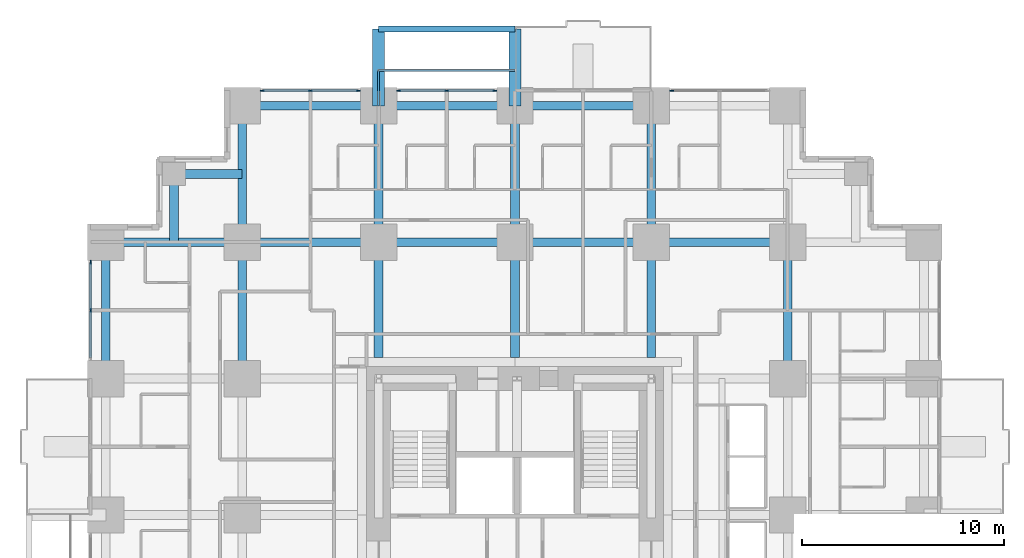
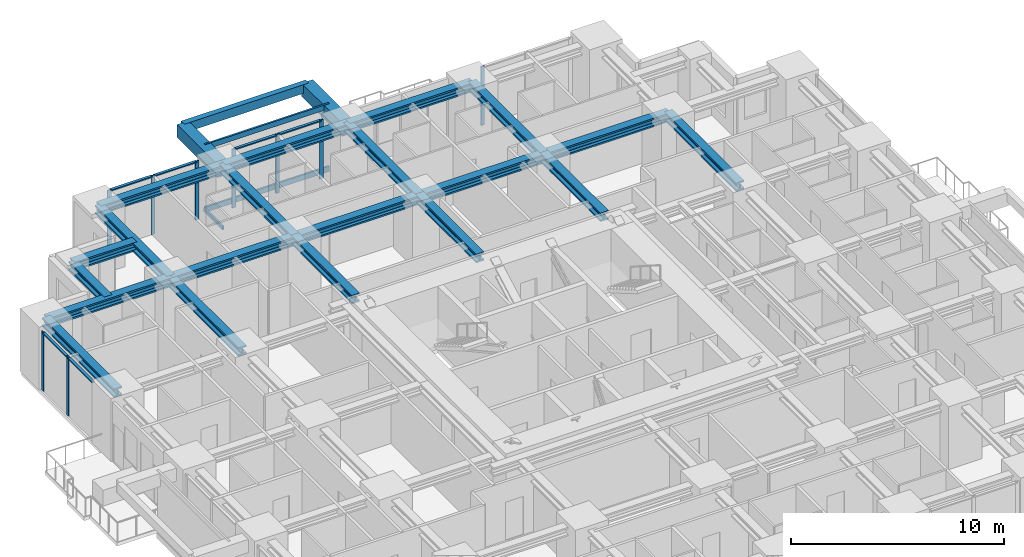
# One storey, part 5 of 14: 23 beams, 18 members, 4 elements without a shape of their own.
"""IFC4 building model written with IfcOpenShell, lengths in metres."""

from ifc_helpers import new_model, si_unit, direction, frame, origin, origin_2d, place, context, subcontext, project, spatial, rectangle, hollow_rectangle, i_section, extrude, material, material_profile, profile_set, type_object, element, aggregate, save


model = new_model("IFC4")

# Units and contexts
model_context = context("Model", 3, precision=1e-05, world=origin(), true_north=direction((0.0, 1.0)))
body_context = subcontext(model_context, "Body", "Model", "MODEL_VIEW")
ifc_project = project(units=[si_unit("LENGTHUNIT", "METRE"), si_unit("AREAUNIT", "SQUARE_METRE"), si_unit("VOLUMEUNIT", "CUBIC_METRE"), si_unit("PLANEANGLEUNIT", "RADIAN"), si_unit("MASSUNIT", "GRAM", prefix="KILO")], contexts=[model_context])

# Site, building, storey
site_placement = place(None, origin())
site = spatial("IfcSite", under=ifc_project, at=site_placement, CompositionType="ELEMENT")
building_placement = place(site_placement, origin())
building = spatial("IfcBuilding", under=site, at=building_placement, Name="Nyansa Garden Tower", CompositionType="ELEMENT")
storey_placement = place(building_placement, frame((0.0, 0.0, 50.39990234375)))
storey = spatial("IfcBuildingStorey", under=building, at=storey_placement, Name="L13", CompositionType="ELEMENT", Elevation=50.39990234375)

# Beams
ifc_material_1 = material(Name="Concrete C70/85", Category="concrete")
ifc_material_profile_1 = material_profile(ifc_material_1, rectangle(XDim=0.60009765625, YDim=0.75, at=origin_2d()), Name="RC 600x750")
ifc_profile_set_1 = profile_set([ifc_material_profile_1], Name="Concrete C70/85")
beam_type_1 = type_object("IfcBeamType", Name="Balcony cantilever beam CB1 RC 600x750", PredefinedType="BEAM", material=ifc_profile_set_1)
for number, where, z_axis, x_axis, name in (
    (1, (13.5, 40.5, 2.985107421875), (0.0, 1.0, 0.0), (-1.0, 0.0, 0.0), "Balcony cantilever beam L14"),
    (2, (20.25, 40.5, 2.985107421875), (0.0, 1.0, 0.0), (-1.0, 0.0, 0.0), "Balcony cantilever beam L14"),
):
    element("IfcBeam", number, at=place(storey_placement, frame(where, z_axis=z_axis, x_axis=x_axis)), inside=storey, type_object=beam_type_1, Name=name, PredefinedType="BEAM", context=body_context, shape_type="SweptSolid", body=[
        extrude(rectangle(XDim=0.60009765625, YDim=0.75, at=origin_2d()), origin(), (0.0, 0.0, 1.0), 3.800048828125),
    ])
ifc_material_2 = material(Name="Concrete C70/85", Category="concrete")
ifc_material_profile_2 = material_profile(ifc_material_2, rectangle(XDim=0.300048828125, YDim=0.5, at=origin_2d()), Name="RC 300x500")
ifc_profile_set_2 = profile_set([ifc_material_profile_2], Name="Concrete C70/85")
beam_type_2 = type_object("IfcBeamType", Name="Balcony edge beam BE1 RC 300x500", PredefinedType="BEAM", material=ifc_profile_set_2)
beam_1_placement = place(storey_placement, frame((13.5, 44.300048828125, 3.110107421875), z_axis=(1.0, 0.0, 0.0), x_axis=(0.0, 1.0, 0.0)))
element("IfcBeam", 3, at=beam_1_placement, inside=storey, type_object=beam_type_2, Name="Balcony edge beam L14", PredefinedType="BEAM", context=body_context, shape_type="SweptSolid", body=[
    extrude(rectangle(XDim=0.300048828125, YDim=0.5, at=origin_2d()), origin(), (0.0, 0.0, 1.0), 6.75),
])

# Curtain wall, members
ifc_material_3 = material(Name="Black anodised aluminium, dark tinted double glazing", Category="aluminium")
curtain_wall_type = type_object("IfcCurtainWallType", Name="Inner skin curtain wall ISW-A", PredefinedType="USERDEFINED", material=ifc_material_3)
curtain_wall_1_placement = place(storey_placement, origin())
curtain_wall_1 = element("IfcCurtainWall", 4, at=curtain_wall_1_placement, inside=storey, type_object=curtain_wall_type, Name="Inner skin curtain wall L13 N", ObjectType="UNITISED CURTAIN WALL", PredefinedType="USERDEFINED")
ifc_material_4 = material(Name="Black anodised aluminium", Category="aluminium")
ifc_material_profile_3 = material_profile(ifc_material_4, rectangle(XDim=0.06494140625, YDim=0.199951171875, at=origin_2d()), Name="Mullion 200x65")
ifc_profile_set_3 = profile_set([ifc_material_profile_3], Name="Black anodised aluminium")
member_type_1 = type_object("IfcMemberType", Name="Mullion ISW-A 200x65", PredefinedType="MULLION", material=ifc_profile_set_3)
member_1_placement = place(storey_placement, frame((19.25, 41.25, 0.0), z_axis=(0.0, 0.0, 1.0), x_axis=(0.0, -1.0, 0.0)))
member_1 = element("IfcMember", 5, at=member_1_placement, type_object=member_type_1, Name="ISW-A mullion 1", PredefinedType="MULLION", context=body_context, shape_type="SweptSolid", body=[
    extrude(rectangle(XDim=0.06494140625, YDim=0.199951171875, at=origin_2d()), origin(), (0.0, 0.0, 1.0), 3.375),
])
member_2_placement = place(storey_placement, frame((16.875, 41.25, 0.0), z_axis=(0.0, 0.0, 1.0), x_axis=(0.0, -1.0, 0.0)))
member_2 = element("IfcMember", 6, at=member_2_placement, type_object=member_type_1, Name="ISW-A mullion 2", PredefinedType="MULLION", context=body_context, shape_type="SweptSolid", body=[
    extrude(rectangle(XDim=0.06494140625, YDim=0.199951171875, at=origin_2d()), origin(), (0.0, 0.0, 1.0), 3.375),
])
member_3_placement = place(storey_placement, frame((14.5, 41.25, 0.0), z_axis=(0.0, 0.0, 1.0), x_axis=(0.0, -1.0, 0.0)))
member_3 = element("IfcMember", 7, at=member_3_placement, type_object=member_type_1, Name="ISW-A mullion 3", PredefinedType="MULLION", context=body_context, shape_type="SweptSolid", body=[
    extrude(rectangle(XDim=0.06494140625, YDim=0.199951171875, at=origin_2d()), origin(), (0.0, 0.0, 1.0), 3.375),
])

curtain_wall_2_placement = place(storey_placement, origin())
curtain_wall_2 = element("IfcCurtainWall", 8, at=curtain_wall_2_placement, inside=storey, type_object=curtain_wall_type, Name="Inner skin curtain wall L13 N", ObjectType="UNITISED CURTAIN WALL", PredefinedType="USERDEFINED")
member_4_placement = place(storey_placement, frame((12.5, 41.25, 0.0), z_axis=(0.0, 0.0, 1.0), x_axis=(0.0, -1.0, 0.0)))
member_4 = element("IfcMember", 9, at=member_4_placement, type_object=member_type_1, Name="ISW-A mullion 1", PredefinedType="MULLION", context=body_context, shape_type="SweptSolid", body=[
    extrude(rectangle(XDim=0.06494140625, YDim=0.199951171875, at=origin_2d()), origin(), (0.0, 0.0, 1.0), 3.375),
])
member_5_placement = place(storey_placement, frame((10.125, 41.25, 0.0), z_axis=(0.0, 0.0, 1.0), x_axis=(0.0, -1.0, 0.0)))
member_5 = element("IfcMember", 10, at=member_5_placement, type_object=member_type_1, Name="ISW-A mullion 2", PredefinedType="MULLION", context=body_context, shape_type="SweptSolid", body=[
    extrude(rectangle(XDim=0.06494140625, YDim=0.199951171875, at=origin_2d()), origin(), (0.0, 0.0, 1.0), 3.375),
])
member_6_placement = place(storey_placement, frame((7.75, 41.25, 0.0), z_axis=(0.0, 0.0, 1.0), x_axis=(0.0, -1.0, 0.0)))
member_6 = element("IfcMember", 11, at=member_6_placement, type_object=member_type_1, Name="ISW-A mullion 3", PredefinedType="MULLION", context=body_context, shape_type="SweptSolid", body=[
    extrude(rectangle(XDim=0.06494140625, YDim=0.199951171875, at=origin_2d()), origin(), (0.0, 0.0, 1.0), 3.375),
])

# Curtain wall, member
curtain_wall_3_placement = place(storey_placement, origin())
curtain_wall_3 = element("IfcCurtainWall", 12, at=curtain_wall_3_placement, inside=storey, type_object=curtain_wall_type, Name="Inner skin curtain wall L13 N", ObjectType="UNITISED CURTAIN WALL", PredefinedType="USERDEFINED")
member_7_placement = place(storey_placement, frame((28.0, 41.25, 0.0), z_axis=(0.0, 0.0, 1.0), x_axis=(0.0, -1.0, 0.0)))
member_7 = element("IfcMember", 13, at=member_7_placement, type_object=member_type_1, Name="ISW-A mullion 3", PredefinedType="MULLION", context=body_context, shape_type="SweptSolid", body=[
    extrude(rectangle(XDim=0.06494140625, YDim=0.199951171875, at=origin_2d()), origin(), (0.0, 0.0, 1.0), 3.375),
])
aggregate(curtain_wall_3, [member_7])

# Curtain wall, members
curtain_wall_4_placement = place(storey_placement, origin())
curtain_wall_4 = element("IfcCurtainWall", 14, at=curtain_wall_4_placement, inside=storey, type_object=curtain_wall_type, Name="Inner skin curtain wall L13 W", ObjectType="UNITISED CURTAIN WALL", PredefinedType="USERDEFINED")
member_8_placement = place(storey_placement, frame((-0.75, 32.75, 0.0), z_axis=(0.0, 0.0, 1.0), x_axis=(1.0, 0.0, 0.0)))
member_8 = element("IfcMember", 15, at=member_8_placement, type_object=member_type_1, Name="ISW-A mullion 1", PredefinedType="MULLION", context=body_context, shape_type="SweptSolid", body=[
    extrude(rectangle(XDim=0.06494140625, YDim=0.199951171875, at=origin_2d()), origin(), (0.0, 0.0, 1.0), 3.375),
])
member_9_placement = place(storey_placement, frame((-0.75, 30.375, 0.0), z_axis=(0.0, 0.0, 1.0), x_axis=(1.0, 0.0, 0.0)))
member_9 = element("IfcMember", 16, at=member_9_placement, type_object=member_type_1, Name="ISW-A mullion 2", PredefinedType="MULLION", context=body_context, shape_type="SweptSolid", body=[
    extrude(rectangle(XDim=0.06494140625, YDim=0.199951171875, at=origin_2d()), origin(), (0.0, 0.0, 1.0), 3.375),
])

# Members
ifc_material_5 = material(Name="Steel S355, black powder coated", Category="steel")
ifc_material_profile_4 = material_profile(ifc_material_5, hollow_rectangle(XDim=0.10009765625, YDim=0.199951171875, WallThickness=0.008056640625, at=origin_2d()), Name="RHS 200x100x8")
ifc_profile_set_4 = profile_set([ifc_material_profile_4], Name="Steel S355, black powder coated")
member_type_2 = type_object("IfcMemberType", Name="Outer skin bracket arm RHS 200x100x8", PredefinedType="USERDEFINED", material=ifc_profile_set_4)
member_10_placement = place(storey_placement, frame((13.5, 40.5, -0.375), z_axis=(0.0, 1.0, 0.0), x_axis=(-1.0, 0.0, 0.0)))
element("IfcMember", 17, at=member_10_placement, inside=storey, type_object=member_type_2, Name="Outer skin bracket arm", ObjectType="OUTER SKIN BRACKET", PredefinedType="USERDEFINED", context=body_context, shape_type="SweptSolid", body=[
    extrude(hollow_rectangle(XDim=0.10009765625, YDim=0.199951171875, WallThickness=0.008056640625, at=origin_2d()), origin(), (0.0, 0.0, 1.0), 1.75),
])
ifc_material_6 = material(Name="Steel S355, black powder coated", Category="steel")
ifc_material_profile_5 = material_profile(ifc_material_6, hollow_rectangle(XDim=0.10009765625, YDim=0.300048828125, WallThickness=0.010009765625, at=origin_2d()), Name="RHS 300x100x10")
ifc_profile_set_5 = profile_set([ifc_material_profile_5], Name="Steel S355, black powder coated")
member_type_3 = type_object("IfcMemberType", Name="Outer skin rail RHS 300x100x10", PredefinedType="USERDEFINED", material=ifc_profile_set_5)
for number, where, z_axis, x_axis, name in (
    (18, (13.5, 42.25, -0.375), (1.0, 0.0, 0.0), (0.0, 1.0, 0.0), "Outer skin rail L13"),
    (19, (13.5, 42.25, 3.22509765625), (1.0, 0.0, 0.0), (0.0, 1.0, 0.0), "Outer skin rail L13 head"),
):
    element("IfcMember", number, at=place(storey_placement, frame(where, z_axis=z_axis, x_axis=x_axis)), inside=storey, type_object=member_type_3, Name=name, ObjectType="OUTER SKIN RAIL", PredefinedType="USERDEFINED", context=body_context, shape_type="SweptSolid", body=[
        extrude(hollow_rectangle(XDim=0.10009765625, YDim=0.300048828125, WallThickness=0.010009765625, at=origin_2d()), origin(), (0.0, 0.0, 1.0), 6.75),
    ])

# Beams
ifc_material_7 = material(Name="Steel S355", Category="steel")
ifc_material_profile_6 = material_profile(ifc_material_7, i_section(OverallWidth=0.431884765625, OverallDepth=0.498046875, WebThickness=0.0556640625, FlangeThickness=0.0888671875, FilletRadius=0.014892578125, at=origin_2d()), Name="HD 400x744")
ifc_profile_set_6 = profile_set([ifc_material_profile_6], Name="Steel S355")
beam_type_3 = type_object("IfcBeamType", Name="Steel beam SBA1-744 HD 400x744", PredefinedType="BEAM", material=ifc_profile_set_6)
for number, where, z_axis, x_axis, name in (
    (20, (0.0, 33.75, 3.1259765625), (1.0, 0.0, 0.0), (0.0, 1.0, 0.0), "Steel beam 2/J-3/J L14"),
    (21, (6.75, 27.0, 3.1259765625), (0.0, 1.0, 0.0), (-1.0, 0.0, 0.0), "Steel beam 3/H-3/J L14"),
    (22, (6.75, 33.75, 3.1259765625), (0.0, 1.0, 0.0), (-1.0, 0.0, 0.0), "Steel beam 3/J-3/K L14"),
    (23, (6.75, 33.75, 3.1259765625), (1.0, 0.0, 0.0), (0.0, 1.0, 0.0), "Steel beam 3/J-4/J L14"),
):
    element("IfcBeam", number, at=place(storey_placement, frame(where, z_axis=z_axis, x_axis=x_axis)), inside=storey, type_object=beam_type_3, Name=name, PredefinedType="BEAM", context=body_context, shape_type="SweptSolid", body=[
        extrude(i_section(OverallWidth=0.431884765625, OverallDepth=0.498046875, WebThickness=0.0556640625, FlangeThickness=0.0888671875, FilletRadius=0.014892578125, at=origin_2d()), origin(), (0.0, 0.0, 1.0), 6.75),
    ])
beam_2_placement = place(storey_placement, frame((13.5, 28.050048828125, 3.1259765625), z_axis=(0.0, 1.0, 0.0), x_axis=(-1.0, 0.0, 0.0)))
element("IfcBeam", 24, at=beam_2_placement, inside=storey, type_object=beam_type_3, Name="Steel beam 4/28.050-4/J L14", PredefinedType="BEAM", context=body_context, shape_type="SweptSolid", body=[
    extrude(i_section(OverallWidth=0.431884765625, OverallDepth=0.498046875, WebThickness=0.0556640625, FlangeThickness=0.0888671875, FilletRadius=0.014892578125, at=origin_2d()), origin(), (0.0, 0.0, 1.0), 5.699951171875),
])
for number, where, z_axis, x_axis, name in (
    (25, (13.5, 33.75, 3.1259765625), (0.0, 1.0, 0.0), (-1.0, 0.0, 0.0), "Steel beam 4/J-4/K L14"),
    (26, (13.5, 33.75, 3.1259765625), (1.0, 0.0, 0.0), (0.0, 1.0, 0.0), "Steel beam 4/J-5/J L14"),
):
    element("IfcBeam", number, at=place(storey_placement, frame(where, z_axis=z_axis, x_axis=x_axis)), inside=storey, type_object=beam_type_3, Name=name, PredefinedType="BEAM", context=body_context, shape_type="SweptSolid", body=[
        extrude(i_section(OverallWidth=0.431884765625, OverallDepth=0.498046875, WebThickness=0.0556640625, FlangeThickness=0.0888671875, FilletRadius=0.014892578125, at=origin_2d()), origin(), (0.0, 0.0, 1.0), 6.75),
    ])
beam_3_placement = place(storey_placement, frame((20.25, 28.050048828125, 3.1259765625), z_axis=(0.0, 1.0, 0.0), x_axis=(-1.0, 0.0, 0.0)))
element("IfcBeam", 27, at=beam_3_placement, inside=storey, type_object=beam_type_3, Name="Steel beam 5/28.050-5/J L14", PredefinedType="BEAM", context=body_context, shape_type="SweptSolid", body=[
    extrude(i_section(OverallWidth=0.431884765625, OverallDepth=0.498046875, WebThickness=0.0556640625, FlangeThickness=0.0888671875, FilletRadius=0.014892578125, at=origin_2d()), origin(), (0.0, 0.0, 1.0), 5.699951171875),
])
for number, where, z_axis, x_axis, name in (
    (28, (20.25, 33.75, 3.1259765625), (0.0, 1.0, 0.0), (-1.0, 0.0, 0.0), "Steel beam 5/J-5/K L14"),
    (29, (20.25, 33.75, 3.1259765625), (1.0, 0.0, 0.0), (0.0, 1.0, 0.0), "Steel beam 5/J-6/J L14"),
):
    element("IfcBeam", number, at=place(storey_placement, frame(where, z_axis=z_axis, x_axis=x_axis)), inside=storey, type_object=beam_type_3, Name=name, PredefinedType="BEAM", context=body_context, shape_type="SweptSolid", body=[
        extrude(i_section(OverallWidth=0.431884765625, OverallDepth=0.498046875, WebThickness=0.0556640625, FlangeThickness=0.0888671875, FilletRadius=0.014892578125, at=origin_2d()), origin(), (0.0, 0.0, 1.0), 6.75),
    ])
beam_4_placement = place(storey_placement, frame((27.0, 28.050048828125, 3.1259765625), z_axis=(0.0, 1.0, 0.0), x_axis=(-1.0, 0.0, 0.0)))
element("IfcBeam", 30, at=beam_4_placement, inside=storey, type_object=beam_type_3, Name="Steel beam 6/28.050-6/J L14", PredefinedType="BEAM", context=body_context, shape_type="SweptSolid", body=[
    extrude(i_section(OverallWidth=0.431884765625, OverallDepth=0.498046875, WebThickness=0.0556640625, FlangeThickness=0.0888671875, FilletRadius=0.014892578125, at=origin_2d()), origin(), (0.0, 0.0, 1.0), 5.699951171875),
])
for number, where, z_axis, x_axis, name in (
    (31, (27.0, 33.75, 3.1259765625), (0.0, 1.0, 0.0), (-1.0, 0.0, 0.0), "Steel beam 6/J-6/K L14"),
    (32, (27.0, 33.75, 3.1259765625), (1.0, 0.0, 0.0), (0.0, 1.0, 0.0), "Steel beam 6/J-7/J L14"),
    (33, (33.75, 27.0, 3.1259765625), (0.0, 1.0, 0.0), (-1.0, 0.0, 0.0), "Steel beam 7/H-7/J L14"),
):
    element("IfcBeam", number, at=place(storey_placement, frame(where, z_axis=z_axis, x_axis=x_axis)), inside=storey, type_object=beam_type_3, Name=name, PredefinedType="BEAM", context=body_context, shape_type="SweptSolid", body=[
        extrude(i_section(OverallWidth=0.431884765625, OverallDepth=0.498046875, WebThickness=0.0556640625, FlangeThickness=0.0888671875, FilletRadius=0.014892578125, at=origin_2d()), origin(), (0.0, 0.0, 1.0), 6.75),
    ])
ifc_material_8 = material(Name="Steel S355", Category="steel")
ifc_material_profile_7 = material_profile(ifc_material_8, i_section(OverallWidth=0.431884765625, OverallDepth=0.498046875, WebThickness=0.0556640625, FlangeThickness=0.0888671875, FilletRadius=0.014892578125, at=origin_2d()), Name="HD 400x744")
ifc_profile_set_7 = profile_set([ifc_material_profile_7], Name="Steel S355")
beam_type_4 = type_object("IfcBeamType", Name="Steel beam SEBA-744 HD 400x744", PredefinedType="BEAM", material=ifc_profile_set_7)
for number, where, z_axis, x_axis, name in (
    (34, (0.0, 27.0, 3.1259765625), (0.0, 1.0, 0.0), (-1.0, 0.0, 0.0), "Steel edge beam 2/H-2/J L14"),
    (35, (6.75, 40.5, 3.1259765625), (1.0, 0.0, 0.0), (0.0, 1.0, 0.0), "Steel edge beam 3/K-4/K L14"),
    (36, (13.5, 40.5, 3.1259765625), (1.0, 0.0, 0.0), (0.0, 1.0, 0.0), "Steel edge beam 4/K-5/K L14"),
    (37, (20.25, 40.5, 3.1259765625), (1.0, 0.0, 0.0), (0.0, 1.0, 0.0), "Steel edge beam 5/K-6/K L14"),
):
    element("IfcBeam", number, at=place(storey_placement, frame(where, z_axis=z_axis, x_axis=x_axis)), inside=storey, type_object=beam_type_4, Name=name, PredefinedType="BEAM", context=body_context, shape_type="SweptSolid", body=[
        extrude(i_section(OverallWidth=0.431884765625, OverallDepth=0.498046875, WebThickness=0.0556640625, FlangeThickness=0.0888671875, FilletRadius=0.014892578125, at=origin_2d()), origin(), (0.0, 0.0, 1.0), 6.75),
    ])
ifc_material_9 = material(Name="Steel S355", Category="steel")
ifc_material_profile_8 = material_profile(ifc_material_9, i_section(OverallWidth=0.431884765625, OverallDepth=0.498046875, WebThickness=0.0556640625, FlangeThickness=0.0888671875, FilletRadius=0.014892578125, at=origin_2d()), Name="HD 400x744")
ifc_profile_set_8 = profile_set([ifc_material_profile_8], Name="Steel S355")
beam_type_5 = type_object("IfcBeamType", Name="Steel beam SSB1-744 HD 400x744", PredefinedType="BEAM", material=ifc_profile_set_8)
for number, where, z_axis, x_axis, name in (
    (38, (3.375, 37.125, 3.1259765625), (0.0, -1.0, 0.0), (1.0, 0.0, 0.0), "Steel step beam 3.375/37.125 L14"),
    (39, (3.375, 37.125, 3.1259765625), (1.0, 0.0, 0.0), (0.0, 1.0, 0.0), "Steel step beam 3.375/37.125 L14"),
):
    element("IfcBeam", number, at=place(storey_placement, frame(where, z_axis=z_axis, x_axis=x_axis)), inside=storey, type_object=beam_type_5, Name=name, PredefinedType="BEAM", context=body_context, shape_type="SweptSolid", body=[
        extrude(i_section(OverallWidth=0.431884765625, OverallDepth=0.498046875, WebThickness=0.0556640625, FlangeThickness=0.0888671875, FilletRadius=0.014892578125, at=origin_2d()), origin(), (0.0, 0.0, 1.0), 3.375),
    ])

# Member
ifc_material_10 = material(Name="Black anodised aluminium", Category="aluminium")
ifc_material_profile_9 = material_profile(ifc_material_10, rectangle(XDim=0.14990234375, YDim=0.06494140625, at=origin_2d()), Name="Transom 150x65")
ifc_profile_set_9 = profile_set([ifc_material_profile_9], Name="Black anodised aluminium")
member_type_4 = type_object("IfcMemberType", Name="Transom ISW-A 150x65", PredefinedType="USERDEFINED", material=ifc_profile_set_9)
member_11_placement = place(storey_placement, frame((19.217529296875, 41.25, 3.342529296875), z_axis=(-1.0, 0.0, 0.0), x_axis=(0.0, -1.0, 0.0)))
member_11 = element("IfcMember", 40, at=member_11_placement, type_object=member_type_4, Name="ISW-A transom 1", ObjectType="TRANSOM", PredefinedType="USERDEFINED", context=body_context, shape_type="SweptSolid", body=[
    extrude(rectangle(XDim=0.14990234375, YDim=0.06494140625, at=origin_2d()), origin(), (0.0, 0.0, 1.0), 2.31005859375),
])

member_12_placement = place(storey_placement, frame((16.842529296875, 41.25, 3.342529296875), z_axis=(-1.0, 0.0, 0.0), x_axis=(0.0, -1.0, 0.0)))
member_12 = element("IfcMember", 41, at=member_12_placement, type_object=member_type_4, Name="ISW-A transom 2", ObjectType="TRANSOM", PredefinedType="USERDEFINED", context=body_context, shape_type="SweptSolid", body=[
    extrude(rectangle(XDim=0.14990234375, YDim=0.06494140625, at=origin_2d()), origin(), (0.0, 0.0, 1.0), 2.31005859375),
])

aggregate(curtain_wall_1, [member_1, member_2, member_3, member_11, member_12])

member_13_placement = place(storey_placement, frame((12.467529296875, 41.25, 3.342529296875), z_axis=(-1.0, 0.0, 0.0), x_axis=(0.0, -1.0, 0.0)))
member_13 = element("IfcMember", 42, at=member_13_placement, type_object=member_type_4, Name="ISW-A transom 1", ObjectType="TRANSOM", PredefinedType="USERDEFINED", context=body_context, shape_type="SweptSolid", body=[
    extrude(rectangle(XDim=0.14990234375, YDim=0.06494140625, at=origin_2d()), origin(), (0.0, 0.0, 1.0), 2.31005859375),
])

member_14_placement = place(storey_placement, frame((10.092529296875, 41.25, 3.342529296875), z_axis=(-1.0, 0.0, 0.0), x_axis=(0.0, -1.0, 0.0)))
member_14 = element("IfcMember", 43, at=member_14_placement, type_object=member_type_4, Name="ISW-A transom 2", ObjectType="TRANSOM", PredefinedType="USERDEFINED", context=body_context, shape_type="SweptSolid", body=[
    extrude(rectangle(XDim=0.14990234375, YDim=0.06494140625, at=origin_2d()), origin(), (0.0, 0.0, 1.0), 2.31005859375),
])

aggregate(curtain_wall_2, [member_4, member_5, member_6, member_13, member_14])

member_15_placement = place(storey_placement, frame((-0.75, 32.717529296875, 3.342529296875), z_axis=(0.0, -1.0, 0.0), x_axis=(1.0, 0.0, 0.0)))
member_15 = element("IfcMember", 44, at=member_15_placement, type_object=member_type_4, Name="ISW-A transom 1", ObjectType="TRANSOM", PredefinedType="USERDEFINED", context=body_context, shape_type="SweptSolid", body=[
    extrude(rectangle(XDim=0.14990234375, YDim=0.06494140625, at=origin_2d()), origin(), (0.0, 0.0, 1.0), 2.31005859375),
])

member_16_placement = place(storey_placement, frame((-0.75, 30.342529296875, 3.342529296875), z_axis=(0.0, -1.0, 0.0), x_axis=(1.0, 0.0, 0.0)))
member_16 = element("IfcMember", 45, at=member_16_placement, type_object=member_type_4, Name="ISW-A transom 2", ObjectType="TRANSOM", PredefinedType="USERDEFINED", context=body_context, shape_type="SweptSolid", body=[
    extrude(rectangle(XDim=0.14990234375, YDim=0.06494140625, at=origin_2d()), origin(), (0.0, 0.0, 1.0), 2.31005859375),
])

aggregate(curtain_wall_4, [member_8, member_9, member_15, member_16])

save(model, "model.ifc")
